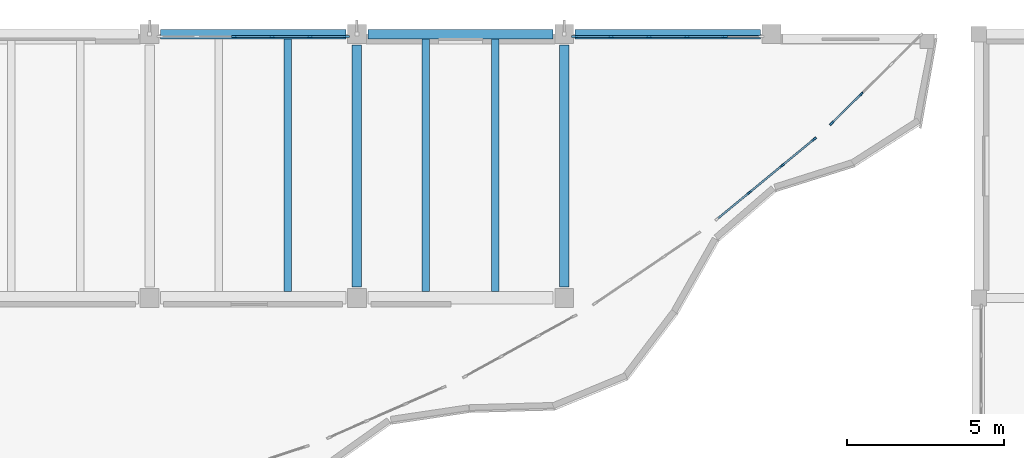
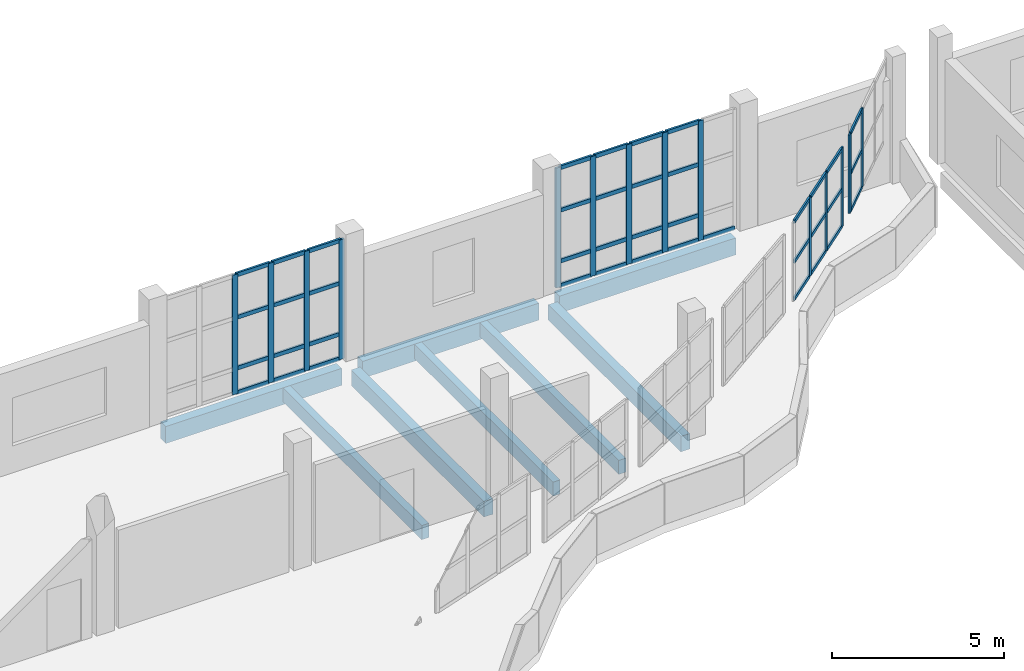
# One storey, part 29 of 76: 55 members, 8 beams, 4 elements without a shape of their own.
"""IFC4 building model written with IfcOpenShell, lengths in metres."""

import ifcopenshell
import ifcopenshell.guid

model = None  # the IFC model being written
_history = None  # IfcOwnerHistory: only IFC2X3 demands one
_inside = {}  # id of a spatial element -> (the spatial element, [elements in it])
_under = {}  # id of a project, library or spatial element -> (it, [spatial elements below it])
_declared = {}  # id of a project -> (the project, [libraries it declares])
_typed = {}  # id of a type object -> (the type object, [elements of that type])
_made_of = {}  # id of a material, layer set ... -> (it, [elements and type objects made of it])


def new_model(schema):
    """Start an empty IFC model of exactly this schema.

    Asked for "IFC4X3", IfcOpenShell would pick the latest addendum, in which some entities
    have other attributes; the version numbers below select the first issue.
    IFC2X3 requires an IfcOwnerHistory on every rooted entity: one is made here for all.
    """
    global model, _history
    if schema == "IFC4X3":
        model = ifcopenshell.file(schema_version=(4, 3, 0, 0))
    else:
        model = ifcopenshell.file(schema=schema)
    _inside.clear()
    _under.clear()
    _declared.clear()
    _typed.clear()
    _made_of.clear()
    _history = None
    if model.schema == "IFC2X3":
        org = make("IfcOrganization", Name="unknown")
        user = make(
            "IfcPersonAndOrganization",
            ThePerson=make("IfcPerson", FamilyName="unknown"),
            TheOrganization=org,
        )
        app = make(
            "IfcApplication",
            ApplicationDeveloper=org,
            Version="unknown",
            ApplicationFullName="unknown",
            ApplicationIdentifier="unknown",
        )
        _history = make(
            "IfcOwnerHistory",
            OwningUser=user,
            OwningApplication=app,
            ChangeAction="ADDED",
            CreationDate=0,
        )
    return model


def make(cls, **values):
    """One entity of the class cls with the attributes given. An attribute that is None is left unset."""
    return model.create_entity(
        cls, **{name: value for name, value in values.items() if value is not None}
    )


def rooted(cls, **values):
    """An entity with a GlobalId (a new one), such as an element, a storey or a relation."""
    return make(cls, GlobalId=ifcopenshell.guid.new(), OwnerHistory=_history, **values)


def si_unit(unit_type, name, prefix=None):
    """IfcSIUnit, for example si_unit("LENGTHUNIT", "METRE", prefix="MILLI")."""
    return make("IfcSIUnit", UnitType=unit_type, Prefix=prefix, Name=name)


def assignment(units):
    """IfcUnitAssignment: the units of a project."""
    return None if units is None else make("IfcUnitAssignment", Units=units)


def point(xyz):
    """IfcCartesianPoint."""
    return None if xyz is None else make("IfcCartesianPoint", Coordinates=xyz)


def direction(xyz):
    """IfcDirection."""
    return None if xyz is None else make("IfcDirection", DirectionRatios=xyz)


def frame(location, z_axis=None, x_axis=None):
    """IfcAxis2Placement3D, a coordinate frame: its origin and axes. An axis left out is left unset."""
    return make(
        "IfcAxis2Placement3D",
        Location=point(location),
        Axis=direction(z_axis),
        RefDirection=direction(x_axis),
    )


def frame_2d(location, x_axis=None):
    """IfcAxis2Placement2D, a coordinate frame in the plane: its origin and x axis."""
    return make(
        "IfcAxis2Placement2D", Location=point(location), RefDirection=direction(x_axis)
    )


def origin():
    """The frame at (0, 0, 0) with its axes left unset."""
    return frame((0.0, 0.0, 0.0))


def origin_2d():
    """The frame at (0, 0) in the plane with its x axis left unset."""
    return frame_2d((0.0, 0.0))


def place(relative_to, where):
    """IfcLocalPlacement: puts the frame where relative to a parent placement (None: the world)."""
    return make(
        "IfcLocalPlacement", PlacementRelTo=relative_to, RelativePlacement=where
    )


def context(
    kind, dimensions, precision=None, world=None, true_north=None, identifier=None
):
    """IfcGeometricRepresentationContext, for example the 3D "Model" context."""
    return make(
        "IfcGeometricRepresentationContext",
        ContextIdentifier=identifier,
        ContextType=kind,
        CoordinateSpaceDimension=dimensions,
        Precision=precision,
        WorldCoordinateSystem=world,
        TrueNorth=true_north,
    )


def subcontext(parent, identifier, kind, view, scale=None):
    """IfcGeometricRepresentationSubContext, for example "Body" below "Model"."""
    return make(
        "IfcGeometricRepresentationSubContext",
        ContextIdentifier=identifier,
        ContextType=kind,
        ParentContext=parent,
        TargetScale=scale,
        TargetView=view,
    )


def project(units=None, contexts=None):
    """IfcProject with its units and contexts."""
    return rooted(
        "IfcProject",
        Name="project",
        RepresentationContexts=contexts,
        UnitsInContext=assignment(units),
    )


def spatial(cls, under=None, at=None, **own):
    """A site, building, storey or space (cls), placed at a placement, below another one or the project."""
    s = rooted(cls, ObjectPlacement=at, **own)
    if under is not None:
        _under.setdefault(under.id(), (under, []))[1].append(s)
    return s


def profile(cls, at=None, kind="AREA", **sizes):
    """A parametric profile (cls). Its sizes go by their IFC names, for example OverallWidth=200.0."""
    return make(cls, ProfileType=kind, Position=at, **sizes)


def rectangle(**sizes):
    """IfcRectangleProfileDef."""
    return profile("IfcRectangleProfileDef", **sizes)


def extrude(swept, where, along, depth):
    """IfcExtrudedAreaSolid: the profile swept, set in the frame where, extruded along a direction by depth."""
    return make(
        "IfcExtrudedAreaSolid",
        SweptArea=swept,
        Position=where,
        ExtrudedDirection=direction(along),
        Depth=depth,
    )


def shape(context_of_items, identifier, shape_type, items):
    """IfcShapeRepresentation: the items that make up one representation, for example the "Body"."""
    return make(
        "IfcShapeRepresentation",
        ContextOfItems=context_of_items,
        RepresentationIdentifier=identifier,
        RepresentationType=shape_type,
        Items=items,
    )


def material(Name=None, Category=None):
    """IfcMaterial."""
    return make("IfcMaterial", Name=Name, Category=Category)


def material_profile(
    of_material, cross_section, Name=None, Category=None, Priority=None
):
    """IfcMaterialProfile: a cross section and its material."""
    return make(
        "IfcMaterialProfile",
        Name=Name,
        Material=of_material,
        Profile=cross_section,
        Priority=Priority,
        Category=Category,
    )


def profile_set(profiles, Name=None, composite=None):
    """IfcMaterialProfileSet."""
    return make(
        "IfcMaterialProfileSet",
        Name=Name,
        MaterialProfiles=profiles,
        CompositeProfile=composite,
    )


def made_of(thing, what):
    """Note that an element or type object is made of a material, layer set ...; save() writes the relation."""
    if what is not None:
        _made_of.setdefault(what.id(), (what, []))[1].append(thing)
    return thing


def type_object(cls, material=None, **own):
    """A type object (cls), such as IfcWallType, which elements share."""
    return made_of(rooted(cls, **own), material)


def element(
    cls,
    number,
    at=None,
    inside=None,
    cuts=None,
    type_object=None,
    material=None,
    context=None,
    identifier="Body",
    shape_type=None,
    held_by="IfcProductDefinitionShape",
    body=None,
    shapes=None,
    **own,
):
    """One element of the class cls, such as IfcWall. Its Tag is "e" and its number.

    at: its placement. inside: the storey or other place that contains it. cuts: it is an
    opening in that element (IfcRelVoidsElement). A single representation is given by context,
    identifier, shape_type and body (its items); several are given by shapes. held_by: the class
    of the entity that holds the representations. save() writes the other relations.
    """
    e = rooted(cls, Tag="e%d" % number, ObjectPlacement=at, **own)
    if body is not None:
        shapes = [shape(context, identifier, shape_type, body)]
    if shapes is not None:
        e.Representation = make(held_by, Representations=shapes)
    if inside is not None:
        _inside.setdefault(inside.id(), (inside, []))[1].append(e)
    if cuts is not None:
        rooted(
            "IfcRelVoidsElement", RelatingBuildingElement=cuts, RelatedOpeningElement=e
        )
    if type_object is not None:
        _typed.setdefault(type_object.id(), (type_object, []))[1].append(e)
    return made_of(e, material)


def aggregate(whole, parts):
    """IfcRelAggregates: a whole, such as a stair, and the parts it consists of."""
    return rooted("IfcRelAggregates", RelatingObject=whole, RelatedObjects=parts)


def save(model, path):
    """Write the relations noted so far, then the file.

    IfcRelAggregates (storeys below a building ...), IfcRelContainedInSpatialStructure (elements
    in a storey), IfcRelDefinesByType, IfcRelAssociatesMaterial and IfcRelDeclares: one each for
    every whole, place, type object, material and project.
    """
    for whole, parts in _under.values():
        aggregate(whole, parts)
    for where, things in _inside.values():
        rooted(
            "IfcRelContainedInSpatialStructure",
            RelatedElements=things,
            RelatingStructure=where,
        )
    for kind, things in _typed.values():
        rooted("IfcRelDefinesByType", RelatedObjects=things, RelatingType=kind)
    for what, things in _made_of.values():
        rooted("IfcRelAssociatesMaterial", RelatedObjects=things, RelatingMaterial=what)
    for by, libraries in _declared.values():
        rooted("IfcRelDeclares", RelatingContext=by, RelatedDefinitions=libraries)
    model.write(path)


model = new_model("IFC4")

# Units and contexts
model_context = context("Model", 3, precision=1e-05, world=origin(), true_north=direction((0.0, 1.0)))
body_context = subcontext(model_context, "Body", "Model", "MODEL_VIEW")
ifc_project = project(units=[si_unit("LENGTHUNIT", "METRE"), si_unit("AREAUNIT", "SQUARE_METRE"), si_unit("VOLUMEUNIT", "CUBIC_METRE"), si_unit("PLANEANGLEUNIT", "RADIAN"), si_unit("MASSUNIT", "GRAM", prefix="KILO")], contexts=[model_context])

# Site, building, storey
site_placement = place(None, origin())
site = spatial("IfcSite", under=ifc_project, at=site_placement, CompositionType="ELEMENT")
building_placement = place(site_placement, origin())
building = spatial("IfcBuilding", under=site, at=building_placement, Name="Qaldarim Faculty of Natural and Applied Sciences", CompositionType="ELEMENT")
storey_placement = place(building_placement, frame((0.0, 0.0, 9.89990234375)))
storey = spatial("IfcBuildingStorey", under=building, at=storey_placement, Name="L02", CompositionType="ELEMENT", Elevation=9.89990234375)

# Beams
ifc_material_1 = material(Name="Concrete C40/50", Category="concrete")
ifc_material_profile_1 = material_profile(ifc_material_1, rectangle(XDim=0.300048828125, YDim=0.550048828125, at=origin_2d()), Name="RC-B300x550")
ifc_profile_set_1 = profile_set([ifc_material_profile_1], Name="Concrete C40/50")
beam_type_1 = type_object("IfcBeamType", Name="FloorBeam-RC300x550", PredefinedType="BEAM", material=ifc_profile_set_1)
for number, where, z_axis, x_axis, name in (
    (1, (132.0, 109.550048828125, -0.574951171875), (0.0, 1.0, 0.0), (-1.0, 0.0, 0.0), "Beam RC-B300x550 L01 X21/Y14-Y15"),
    (2, (138.60009765625, 109.550048828125, -0.574951171875), (0.0, 1.0, 0.0), (-1.0, 0.0, 0.0), "Beam RC-B300x550 L01 X22/Y14-Y15"),
):
    element("IfcBeam", number, at=place(storey_placement, frame(where, z_axis=z_axis, x_axis=x_axis)), inside=storey, type_object=beam_type_1, Name=name, PredefinedType="BEAM", context=body_context, shape_type="SweptSolid", body=[
        extrude(rectangle(XDim=0.300048828125, YDim=0.550048828125, at=origin_2d()), origin(), (0.0, 0.0, 1.0), 7.699951171875),
    ])
ifc_material_profile_2 = material_profile(ifc_material_1, rectangle(XDim=0.239990234375, YDim=0.5, at=origin_2d()), Name="RC-J240x500")
ifc_profile_set_2 = profile_set([ifc_material_profile_2], Name="Concrete C40/50")
beam_type_2 = type_object("IfcBeamType", Name="HeavyJoist-RC240x500", PredefinedType="JOIST", material=ifc_profile_set_2)
for number, where, z_axis, x_axis, name in (
    (3, (129.800048828125, 109.39990234375, -0.5498046875), (0.0, 1.0, 0.0), (-1.0, 0.0, 0.0), "Laboratory joist L01 bay X20Y14-2"),
    (4, (134.199951171875, 109.39990234375, -0.5498046875), (0.0, 1.0, 0.0), (-1.0, 0.0, 0.0), "Laboratory joist L01 bay X21Y14-1"),
    (5, (136.39990234375, 109.39990234375, -0.5498046875), (0.0, 1.0, 0.0), (-1.0, 0.0, 0.0), "Laboratory joist L01 bay X21Y14-2"),
):
    element("IfcBeam", number, at=place(storey_placement, frame(where, z_axis=z_axis, x_axis=x_axis)), inside=storey, type_object=beam_type_2, Name=name, PredefinedType="JOIST", context=body_context, shape_type="SweptSolid", body=[
        extrude(rectangle(XDim=0.239990234375, YDim=0.5, at=origin_2d()), origin(), (0.0, 0.0, 1.0), 8.050048828125),
    ])

# Curtain wall, members
ifc_material_2 = material(Name="Anodised aluminium AW-6063", Category="aluminium")
curtain_wall_type_1 = type_object("IfcCurtainWallType", Name="CurtainWallSystem-M1400", PredefinedType="USERDEFINED", material=ifc_material_2)
curtain_wall_1_placement = place(storey_placement, origin())
curtain_wall_1 = element("IfcCurtainWall", 6, at=curtain_wall_1_placement, inside=storey, type_object=curtain_wall_type_1, Name="Curtain wall CW-V4ARC-L02-14", ObjectType="STICK CURTAIN WALL", PredefinedType="USERDEFINED")
ifc_material_profile_3 = material_profile(ifc_material_2, rectangle(XDim=0.06005859375, YDim=0.14990234375, at=origin_2d()), Name="ALU-M60x150")
ifc_profile_set_3 = profile_set([ifc_material_profile_3], Name="Anodised aluminium AW-6063")
member_type_1 = type_object("IfcMemberType", Name="Mullion-ALU60x150", PredefinedType="MULLION", material=ifc_profile_set_3)
member_1_placement = place(storey_placement, frame((144.49658203125, 112.558349609375, 1.4501953125), z_axis=(0.0, 0.0, 1.0), x_axis=(-0.635930067271, 0.771746687418, 0.0)))
member_1 = element("IfcMember", 7, at=member_1_placement, type_object=member_type_1, Name="Mullion 2 of CW-V4ARC-L02-14", PredefinedType="MULLION", context=body_context, shape_type="SweptSolid", body=[
    extrude(rectangle(XDim=0.06005859375, YDim=0.14990234375, at=origin_2d()), origin(), (0.0, 0.0, 1.0), 2.789794921875),
])
member_2_placement = place(storey_placement, frame((145.538330078125, 113.416748046875, 1.4501953125), z_axis=(0.0, 0.0, 1.0), x_axis=(-0.635930067271, 0.771746687418, 0.0)))
member_2 = element("IfcMember", 8, at=member_2_placement, type_object=member_type_1, Name="Mullion 3 of CW-V4ARC-L02-14", PredefinedType="MULLION", context=body_context, shape_type="SweptSolid", body=[
    extrude(rectangle(XDim=0.06005859375, YDim=0.14990234375, at=origin_2d()), origin(), (0.0, 0.0, 1.0), 2.789794921875),
])
member_3_placement = place(storey_placement, frame((146.556884765625, 114.255859375, 1.4501953125), z_axis=(0.0, 0.0, 1.0), x_axis=(-0.635930067271, 0.771746687418, 0.0)))
member_3 = element("IfcMember", 9, at=member_3_placement, type_object=member_type_1, Name="Mullion 4 of CW-V4ARC-L02-14", PredefinedType="MULLION", context=body_context, shape_type="SweptSolid", body=[
    extrude(rectangle(XDim=0.06005859375, YDim=0.14990234375, at=origin_2d()), origin(), (0.0, 0.0, 1.0), 2.789794921875),
])

curtain_wall_2_placement = place(storey_placement, origin())
curtain_wall_2 = element("IfcCurtainWall", 10, at=curtain_wall_2_placement, inside=storey, type_object=curtain_wall_type_1, Name="Curtain wall CW-V4ARC-L02-16", ObjectType="STICK CURTAIN WALL", PredefinedType="USERDEFINED")
member_4_placement = place(storey_placement, frame((147.1162109375, 114.760986328125, 1.4501953125), z_axis=(0.0, 0.0, 1.0), x_axis=(-0.704014724456, 0.710185375623, 0.0)))
member_4 = element("IfcMember", 11, at=member_4_placement, type_object=member_type_1, Name="Mullion 1 of CW-V4ARC-L02-16", PredefinedType="MULLION", context=body_context, shape_type="SweptSolid", body=[
    extrude(rectangle(XDim=0.06005859375, YDim=0.14990234375, at=origin_2d()), origin(), (0.0, 0.0, 1.0), 2.789794921875),
])
member_5_placement = place(storey_placement, frame((148.05322265625, 115.68994140625, 1.4501953125), z_axis=(0.0, 0.0, 1.0), x_axis=(-0.704014724456, 0.710185375623, 0.0)))
member_5 = element("IfcMember", 12, at=member_5_placement, type_object=member_type_1, Name="Mullion 2 of CW-V4ARC-L02-16", PredefinedType="MULLION", context=body_context, shape_type="SweptSolid", body=[
    extrude(rectangle(XDim=0.06005859375, YDim=0.14990234375, at=origin_2d()), origin(), (0.0, 0.0, 1.0), 2.789794921875),
])

curtain_wall_type_2 = type_object("IfcCurtainWallType", Name="CurtainWallSystem-M1200", PredefinedType="USERDEFINED", material=ifc_material_2)
curtain_wall_3_placement = place(storey_placement, origin())
curtain_wall_3 = element("IfcCurtainWall", 13, at=curtain_wall_3_placement, inside=storey, type_object=curtain_wall_type_2, Name="Curtain wall CW-L02-N-X20Y14", ObjectType="STICK CURTAIN WALL", PredefinedType="USERDEFINED")
ifc_material_profile_4 = material_profile(ifc_material_2, rectangle(XDim=0.070068359375, YDim=0.179931640625, at=origin_2d()), Name="ALU-M70x180")
ifc_profile_set_4 = profile_set([ifc_material_profile_4], Name="Anodised aluminium AW-6063")
member_type_2 = type_object("IfcMemberType", Name="Mullion-ALU70x180", PredefinedType="MULLION", material=ifc_profile_set_4)
member_6_placement = place(storey_placement, frame((131.669921875, 117.52001953125, 0.0), z_axis=(0.0, 0.0, 1.0), x_axis=(0.0, -1.0, 0.0)))
member_6 = element("IfcMember", 14, at=member_6_placement, type_object=member_type_2, Name="Mullion 1 of CW-L02-N-X20Y14", PredefinedType="MULLION", context=body_context, shape_type="SweptSolid", body=[
    extrude(rectangle(XDim=0.070068359375, YDim=0.179931640625, at=origin_2d()), origin(), (0.0, 0.0, 1.0), 4.239990234375),
])
member_7_placement = place(storey_placement, frame((130.5029296875, 117.52001953125, 0.0), z_axis=(0.0, 0.0, 1.0), x_axis=(0.0, -1.0, 0.0)))
member_7 = element("IfcMember", 15, at=member_7_placement, type_object=member_type_2, Name="Mullion 2 of CW-L02-N-X20Y14", PredefinedType="MULLION", context=body_context, shape_type="SweptSolid", body=[
    extrude(rectangle(XDim=0.070068359375, YDim=0.179931640625, at=origin_2d()), origin(), (0.0, 0.0, 1.0), 4.239990234375),
])
member_8_placement = place(storey_placement, frame((129.301025390625, 117.52001953125, 0.0), z_axis=(0.0, 0.0, 1.0), x_axis=(0.0, -1.0, 0.0)))
member_8 = element("IfcMember", 16, at=member_8_placement, type_object=member_type_2, Name="Mullion 3 of CW-L02-N-X20Y14", PredefinedType="MULLION", context=body_context, shape_type="SweptSolid", body=[
    extrude(rectangle(XDim=0.070068359375, YDim=0.179931640625, at=origin_2d()), origin(), (0.0, 0.0, 1.0), 4.239990234375),
])
member_9_placement = place(storey_placement, frame((128.09912109375, 117.52001953125, 0.0), z_axis=(0.0, 0.0, 1.0), x_axis=(0.0, -1.0, 0.0)))
member_9 = element("IfcMember", 17, at=member_9_placement, type_object=member_type_2, Name="Mullion 4 of CW-L02-N-X20Y14", PredefinedType="MULLION", context=body_context, shape_type="SweptSolid", body=[
    extrude(rectangle(XDim=0.070068359375, YDim=0.179931640625, at=origin_2d()), origin(), (0.0, 0.0, 1.0), 4.239990234375),
])

curtain_wall_4_placement = place(storey_placement, origin())
curtain_wall_4 = element("IfcCurtainWall", 18, at=curtain_wall_4_placement, inside=storey, type_object=curtain_wall_type_2, Name="Curtain wall CW-L02-N-X22Y14", ObjectType="STICK CURTAIN WALL", PredefinedType="USERDEFINED")
member_10_placement = place(storey_placement, frame((143.702880859375, 117.52001953125, 0.0), z_axis=(0.0, 0.0, 1.0), x_axis=(0.0, -1.0, 0.0)))
member_10 = element("IfcMember", 19, at=member_10_placement, type_object=member_type_2, Name="Mullion 2 of CW-L02-N-X22Y14", PredefinedType="MULLION", context=body_context, shape_type="SweptSolid", body=[
    extrude(rectangle(XDim=0.070068359375, YDim=0.179931640625, at=origin_2d()), origin(), (0.0, 0.0, 1.0), 4.239990234375),
])
member_11_placement = place(storey_placement, frame((142.5009765625, 117.52001953125, 0.0), z_axis=(0.0, 0.0, 1.0), x_axis=(0.0, -1.0, 0.0)))
member_11 = element("IfcMember", 20, at=member_11_placement, type_object=member_type_2, Name="Mullion 3 of CW-L02-N-X22Y14", PredefinedType="MULLION", context=body_context, shape_type="SweptSolid", body=[
    extrude(rectangle(XDim=0.070068359375, YDim=0.179931640625, at=origin_2d()), origin(), (0.0, 0.0, 1.0), 4.239990234375),
])
member_12_placement = place(storey_placement, frame((141.299072265625, 117.52001953125, 0.0), z_axis=(0.0, 0.0, 1.0), x_axis=(0.0, -1.0, 0.0)))
member_12 = element("IfcMember", 21, at=member_12_placement, type_object=member_type_2, Name="Mullion 4 of CW-L02-N-X22Y14", PredefinedType="MULLION", context=body_context, shape_type="SweptSolid", body=[
    extrude(rectangle(XDim=0.070068359375, YDim=0.179931640625, at=origin_2d()), origin(), (0.0, 0.0, 1.0), 4.239990234375),
])
member_13_placement = place(storey_placement, frame((140.096923828125, 117.52001953125, 0.0), z_axis=(0.0, 0.0, 1.0), x_axis=(0.0, -1.0, 0.0)))
member_13 = element("IfcMember", 22, at=member_13_placement, type_object=member_type_2, Name="Mullion 5 of CW-L02-N-X22Y14", PredefinedType="MULLION", context=body_context, shape_type="SweptSolid", body=[
    extrude(rectangle(XDim=0.070068359375, YDim=0.179931640625, at=origin_2d()), origin(), (0.0, 0.0, 1.0), 4.239990234375),
])
member_14_placement = place(storey_placement, frame((138.929931640625, 117.52001953125, 0.0), z_axis=(0.0, 0.0, 1.0), x_axis=(0.0, -1.0, 0.0)))
member_14 = element("IfcMember", 23, at=member_14_placement, type_object=member_type_2, Name="Mullion 6 of CW-L02-N-X22Y14", PredefinedType="MULLION", context=body_context, shape_type="SweptSolid", body=[
    extrude(rectangle(XDim=0.070068359375, YDim=0.179931640625, at=origin_2d()), origin(), (0.0, 0.0, 1.0), 4.239990234375),
])

# Beams
ifc_material_3 = material(Name="Precast concrete C40/50", Category="concrete")
ifc_material_profile_5 = material_profile(ifc_material_3, rectangle(XDim=0.300048828125, YDim=0.60009765625, at=origin_2d()), Name="RC-SP300x600")
ifc_profile_set_5 = profile_set([ifc_material_profile_5], Name="Precast concrete C40/50")
beam_type_3 = type_object("IfcBeamType", Name="SpandrelBeam-RC300x600", PredefinedType="SPANDREL", material=ifc_profile_set_5)
for number, where, z_axis, x_axis, name in (
    (24, (125.75, 117.60009765625, -0.599853515625), (1.0, 0.0, 0.0), (0.0, 1.0, 0.0), "Beam RC-SP300x600 L01 X20-X21/Y15"),
    (25, (132.35009765625, 117.60009765625, -0.599853515625), (1.0, 0.0, 0.0), (0.0, 1.0, 0.0), "Beam RC-SP300x600 L01 X21-X22/Y15"),
):
    element("IfcBeam", number, at=place(storey_placement, frame(where, z_axis=z_axis, x_axis=x_axis)), inside=storey, type_object=beam_type_3, Name=name, PredefinedType="SPANDREL", context=body_context, shape_type="SweptSolid", body=[
        extrude(rectangle(XDim=0.300048828125, YDim=0.60009765625, at=origin_2d()), origin(), (0.0, 0.0, 1.0), 5.89990234375),
    ])
beam_placement = place(storey_placement, frame((138.949951171875, 117.60009765625, -0.599853515625), z_axis=(1.0, 0.0, 0.0), x_axis=(0.0, 1.0, 0.0)))
element("IfcBeam", 26, at=beam_placement, inside=storey, type_object=beam_type_3, Name="Beam RC-SP300x600 L01 X22-X23/Y15", PredefinedType="SPANDREL", context=body_context, shape_type="SweptSolid", body=[
    extrude(rectangle(XDim=0.300048828125, YDim=0.60009765625, at=origin_2d()), origin(), (0.0, 0.0, 1.0), 5.900146484375),
])

# Member
ifc_material_profile_6 = material_profile(ifc_material_2, rectangle(XDim=0.06005859375, YDim=0.1201171875, at=origin_2d()), Name="ALU-T60x120")
ifc_profile_set_6 = profile_set([ifc_material_profile_6], Name="Anodised aluminium AW-6063")
member_type_3 = type_object("IfcMemberType", Name="Transom-ALU60x120", PredefinedType="USERDEFINED", material=ifc_profile_set_6)
member_15_placement = place(storey_placement, frame((143.501220703125, 111.73828125, 1.47998046875), z_axis=(0.77176796605, 0.635904243247, 0.0), x_axis=(-0.635904243247, 0.77176796605, 0.0)))
member_15 = element("IfcMember", 27, at=member_15_placement, type_object=member_type_3, Name="Transom 1-1 of CW-V4ARC-L02-14", ObjectType="TRANSOM", PredefinedType="USERDEFINED", context=body_context, shape_type="SweptSolid", body=[
    extrude(rectangle(XDim=0.06005859375, YDim=0.1201171875, at=origin_2d()), origin(), (0.0, 0.0, 1.0), 1.259765625),
])

member_16_placement = place(storey_placement, frame((143.501220703125, 111.73828125, 2.800048828125), z_axis=(0.77176796605, 0.635904243247, 0.0), x_axis=(-0.635904243247, 0.77176796605, 0.0)))
member_16 = element("IfcMember", 28, at=member_16_placement, type_object=member_type_3, Name="Transom 1-2 of CW-V4ARC-L02-14", ObjectType="TRANSOM", PredefinedType="USERDEFINED", context=body_context, shape_type="SweptSolid", body=[
    extrude(rectangle(XDim=0.06005859375, YDim=0.1201171875, at=origin_2d()), origin(), (0.0, 0.0, 1.0), 1.259765625),
])

member_17_placement = place(storey_placement, frame((143.501220703125, 111.73828125, 4.210205078125), z_axis=(0.77176796605, 0.635904243247, 0.0), x_axis=(-0.635904243247, 0.77176796605, 0.0)))
member_17 = element("IfcMember", 29, at=member_17_placement, type_object=member_type_3, Name="Transom 1-3 of CW-V4ARC-L02-14", ObjectType="TRANSOM", PredefinedType="USERDEFINED", context=body_context, shape_type="SweptSolid", body=[
    extrude(rectangle(XDim=0.06005859375, YDim=0.1201171875, at=origin_2d()), origin(), (0.0, 0.0, 1.0), 1.259765625),
])

member_18_placement = place(storey_placement, frame((144.519775390625, 112.577392578125, 1.47998046875), z_axis=(0.771700705887, 0.635985865043, 0.0), x_axis=(-0.635985865043, 0.771700705887, 0.0)))
member_18 = element("IfcMember", 30, at=member_18_placement, type_object=member_type_3, Name="Transom 2-1 of CW-V4ARC-L02-14", ObjectType="TRANSOM", PredefinedType="USERDEFINED", context=body_context, shape_type="SweptSolid", body=[
    extrude(rectangle(XDim=0.06005859375, YDim=0.1201171875, at=origin_2d()), origin(), (0.0, 0.0, 1.0), 1.289794921875),
])

member_19_placement = place(storey_placement, frame((144.519775390625, 112.577392578125, 2.800048828125), z_axis=(0.771700705887, 0.635985865043, 0.0), x_axis=(-0.635985865043, 0.771700705887, 0.0)))
member_19 = element("IfcMember", 31, at=member_19_placement, type_object=member_type_3, Name="Transom 2-2 of CW-V4ARC-L02-14", ObjectType="TRANSOM", PredefinedType="USERDEFINED", context=body_context, shape_type="SweptSolid", body=[
    extrude(rectangle(XDim=0.06005859375, YDim=0.1201171875, at=origin_2d()), origin(), (0.0, 0.0, 1.0), 1.289794921875),
])

member_20_placement = place(storey_placement, frame((144.519775390625, 112.577392578125, 4.210205078125), z_axis=(0.771700705887, 0.635985865043, 0.0), x_axis=(-0.635985865043, 0.771700705887, 0.0)))
member_20 = element("IfcMember", 32, at=member_20_placement, type_object=member_type_3, Name="Transom 2-3 of CW-V4ARC-L02-14", ObjectType="TRANSOM", PredefinedType="USERDEFINED", context=body_context, shape_type="SweptSolid", body=[
    extrude(rectangle(XDim=0.06005859375, YDim=0.1201171875, at=origin_2d()), origin(), (0.0, 0.0, 1.0), 1.289794921875),
])

member_21_placement = place(storey_placement, frame((145.5615234375, 113.435791015625, 1.47998046875), z_axis=(0.77176796605, 0.635904243247, 0.0), x_axis=(-0.635904243247, 0.77176796605, 0.0)))
member_21 = element("IfcMember", 33, at=member_21_placement, type_object=member_type_3, Name="Transom 3-1 of CW-V4ARC-L02-14", ObjectType="TRANSOM", PredefinedType="USERDEFINED", context=body_context, shape_type="SweptSolid", body=[
    extrude(rectangle(XDim=0.06005859375, YDim=0.1201171875, at=origin_2d()), origin(), (0.0, 0.0, 1.0), 1.259765625),
])

member_22_placement = place(storey_placement, frame((145.5615234375, 113.435791015625, 2.800048828125), z_axis=(0.77176796605, 0.635904243247, 0.0), x_axis=(-0.635904243247, 0.77176796605, 0.0)))
member_22 = element("IfcMember", 34, at=member_22_placement, type_object=member_type_3, Name="Transom 3-2 of CW-V4ARC-L02-14", ObjectType="TRANSOM", PredefinedType="USERDEFINED", context=body_context, shape_type="SweptSolid", body=[
    extrude(rectangle(XDim=0.06005859375, YDim=0.1201171875, at=origin_2d()), origin(), (0.0, 0.0, 1.0), 1.259765625),
])

member_23_placement = place(storey_placement, frame((145.5615234375, 113.435791015625, 4.210205078125), z_axis=(0.77176796605, 0.635904243247, 0.0), x_axis=(-0.635904243247, 0.77176796605, 0.0)))
member_23 = element("IfcMember", 35, at=member_23_placement, type_object=member_type_3, Name="Transom 3-3 of CW-V4ARC-L02-14", ObjectType="TRANSOM", PredefinedType="USERDEFINED", context=body_context, shape_type="SweptSolid", body=[
    extrude(rectangle(XDim=0.06005859375, YDim=0.1201171875, at=origin_2d()), origin(), (0.0, 0.0, 1.0), 1.259765625),
])

aggregate(curtain_wall_1, [member_1, member_2, member_3, member_15, member_16, member_17, member_18, member_19, member_20, member_21, member_22, member_23])

member_24_placement = place(storey_placement, frame((147.1376953125, 114.7822265625, 1.47998046875), z_axis=(0.71010520996, 0.704095583559, 0.0), x_axis=(-0.704095583559, 0.71010520996, 0.0)))
member_24 = element("IfcMember", 36, at=member_24_placement, type_object=member_type_3, Name="Transom 1-1 of CW-V4ARC-L02-16", ObjectType="TRANSOM", PredefinedType="USERDEFINED", context=body_context, shape_type="SweptSolid", body=[
    extrude(rectangle(XDim=0.06005859375, YDim=0.1201171875, at=origin_2d()), origin(), (0.0, 0.0, 1.0), 1.25927734375),
])

member_25_placement = place(storey_placement, frame((147.1376953125, 114.7822265625, 2.800048828125), z_axis=(0.71010520996, 0.704095583559, 0.0), x_axis=(-0.704095583559, 0.71010520996, 0.0)))
member_25 = element("IfcMember", 37, at=member_25_placement, type_object=member_type_3, Name="Transom 1-2 of CW-V4ARC-L02-16", ObjectType="TRANSOM", PredefinedType="USERDEFINED", context=body_context, shape_type="SweptSolid", body=[
    extrude(rectangle(XDim=0.06005859375, YDim=0.1201171875, at=origin_2d()), origin(), (0.0, 0.0, 1.0), 1.25927734375),
])

member_26_placement = place(storey_placement, frame((147.1376953125, 114.7822265625, 4.210205078125), z_axis=(0.71010520996, 0.704095583559, 0.0), x_axis=(-0.704095583559, 0.71010520996, 0.0)))
member_26 = element("IfcMember", 38, at=member_26_placement, type_object=member_type_3, Name="Transom 1-3 of CW-V4ARC-L02-16", ObjectType="TRANSOM", PredefinedType="USERDEFINED", context=body_context, shape_type="SweptSolid", body=[
    extrude(rectangle(XDim=0.06005859375, YDim=0.1201171875, at=origin_2d()), origin(), (0.0, 0.0, 1.0), 1.25927734375),
])

aggregate(curtain_wall_2, [member_4, member_5, member_24, member_25, member_26])

ifc_material_profile_7 = material_profile(ifc_material_2, rectangle(XDim=0.070068359375, YDim=0.139892578125, at=origin_2d()), Name="ALU-T70x140")
ifc_profile_set_7 = profile_set([ifc_material_profile_7], Name="Anodised aluminium AW-6063")
member_type_4 = type_object("IfcMemberType", Name="Transom-ALU70x140", PredefinedType="USERDEFINED", material=ifc_profile_set_7)
member_27_placement = place(storey_placement, frame((131.635009765625, 117.52001953125, 0.03515625), z_axis=(-1.0, 0.0, 0.0), x_axis=(0.0, -1.0, 0.0)))
member_27 = element("IfcMember", 39, at=member_27_placement, type_object=member_type_4, Name="Transom 1-1 of CW-L02-N-X20Y14", ObjectType="TRANSOM", PredefinedType="USERDEFINED", context=body_context, shape_type="SweptSolid", body=[
    extrude(rectangle(XDim=0.070068359375, YDim=0.139892578125, at=origin_2d()), origin(), (0.0, 0.0, 1.0), 1.096923828125),
])

member_28_placement = place(storey_placement, frame((131.635009765625, 117.52001953125, 0.900146484375), z_axis=(-1.0, 0.0, 0.0), x_axis=(0.0, -1.0, 0.0)))
member_28 = element("IfcMember", 40, at=member_28_placement, type_object=member_type_4, Name="Transom 1-2 of CW-L02-N-X20Y14", ObjectType="TRANSOM", PredefinedType="USERDEFINED", context=body_context, shape_type="SweptSolid", body=[
    extrude(rectangle(XDim=0.070068359375, YDim=0.139892578125, at=origin_2d()), origin(), (0.0, 0.0, 1.0), 1.096923828125),
])

member_29_placement = place(storey_placement, frame((131.635009765625, 117.52001953125, 2.7001953125), z_axis=(-1.0, 0.0, 0.0), x_axis=(0.0, -1.0, 0.0)))
member_29 = element("IfcMember", 41, at=member_29_placement, type_object=member_type_4, Name="Transom 1-3 of CW-L02-N-X20Y14", ObjectType="TRANSOM", PredefinedType="USERDEFINED", context=body_context, shape_type="SweptSolid", body=[
    extrude(rectangle(XDim=0.070068359375, YDim=0.139892578125, at=origin_2d()), origin(), (0.0, 0.0, 1.0), 1.096923828125),
])

member_30_placement = place(storey_placement, frame((131.635009765625, 117.52001953125, 4.205078125), z_axis=(-1.0, 0.0, 0.0), x_axis=(0.0, -1.0, 0.0)))
member_30 = element("IfcMember", 42, at=member_30_placement, type_object=member_type_4, Name="Transom 1-4 of CW-L02-N-X20Y14", ObjectType="TRANSOM", PredefinedType="USERDEFINED", context=body_context, shape_type="SweptSolid", body=[
    extrude(rectangle(XDim=0.070068359375, YDim=0.139892578125, at=origin_2d()), origin(), (0.0, 0.0, 1.0), 1.096923828125),
])

member_31_placement = place(storey_placement, frame((130.468017578125, 117.52001953125, 0.03515625), z_axis=(-1.0, 0.0, 0.0), x_axis=(0.0, -1.0, 0.0)))
member_31 = element("IfcMember", 43, at=member_31_placement, type_object=member_type_4, Name="Transom 2-1 of CW-L02-N-X20Y14", ObjectType="TRANSOM", PredefinedType="USERDEFINED", context=body_context, shape_type="SweptSolid", body=[
    extrude(rectangle(XDim=0.070068359375, YDim=0.139892578125, at=origin_2d()), origin(), (0.0, 0.0, 1.0), 1.132080078125),
])

member_32_placement = place(storey_placement, frame((130.468017578125, 117.52001953125, 0.900146484375), z_axis=(-1.0, 0.0, 0.0), x_axis=(0.0, -1.0, 0.0)))
member_32 = element("IfcMember", 44, at=member_32_placement, type_object=member_type_4, Name="Transom 2-2 of CW-L02-N-X20Y14", ObjectType="TRANSOM", PredefinedType="USERDEFINED", context=body_context, shape_type="SweptSolid", body=[
    extrude(rectangle(XDim=0.070068359375, YDim=0.139892578125, at=origin_2d()), origin(), (0.0, 0.0, 1.0), 1.132080078125),
])

member_33_placement = place(storey_placement, frame((130.468017578125, 117.52001953125, 2.7001953125), z_axis=(-1.0, 0.0, 0.0), x_axis=(0.0, -1.0, 0.0)))
member_33 = element("IfcMember", 45, at=member_33_placement, type_object=member_type_4, Name="Transom 2-3 of CW-L02-N-X20Y14", ObjectType="TRANSOM", PredefinedType="USERDEFINED", context=body_context, shape_type="SweptSolid", body=[
    extrude(rectangle(XDim=0.070068359375, YDim=0.139892578125, at=origin_2d()), origin(), (0.0, 0.0, 1.0), 1.132080078125),
])

member_34_placement = place(storey_placement, frame((130.468017578125, 117.52001953125, 4.205078125), z_axis=(-1.0, 0.0, 0.0), x_axis=(0.0, -1.0, 0.0)))
member_34 = element("IfcMember", 46, at=member_34_placement, type_object=member_type_4, Name="Transom 2-4 of CW-L02-N-X20Y14", ObjectType="TRANSOM", PredefinedType="USERDEFINED", context=body_context, shape_type="SweptSolid", body=[
    extrude(rectangle(XDim=0.070068359375, YDim=0.139892578125, at=origin_2d()), origin(), (0.0, 0.0, 1.0), 1.132080078125),
])

member_35_placement = place(storey_placement, frame((129.26611328125, 117.52001953125, 0.03515625), z_axis=(-1.0, 0.0, 0.0), x_axis=(0.0, -1.0, 0.0)))
member_35 = element("IfcMember", 47, at=member_35_placement, type_object=member_type_4, Name="Transom 3-1 of CW-L02-N-X20Y14", ObjectType="TRANSOM", PredefinedType="USERDEFINED", context=body_context, shape_type="SweptSolid", body=[
    extrude(rectangle(XDim=0.070068359375, YDim=0.139892578125, at=origin_2d()), origin(), (0.0, 0.0, 1.0), 1.132080078125),
])

member_36_placement = place(storey_placement, frame((129.26611328125, 117.52001953125, 0.900146484375), z_axis=(-1.0, 0.0, 0.0), x_axis=(0.0, -1.0, 0.0)))
member_36 = element("IfcMember", 48, at=member_36_placement, type_object=member_type_4, Name="Transom 3-2 of CW-L02-N-X20Y14", ObjectType="TRANSOM", PredefinedType="USERDEFINED", context=body_context, shape_type="SweptSolid", body=[
    extrude(rectangle(XDim=0.070068359375, YDim=0.139892578125, at=origin_2d()), origin(), (0.0, 0.0, 1.0), 1.132080078125),
])

member_37_placement = place(storey_placement, frame((129.26611328125, 117.52001953125, 2.7001953125), z_axis=(-1.0, 0.0, 0.0), x_axis=(0.0, -1.0, 0.0)))
member_37 = element("IfcMember", 49, at=member_37_placement, type_object=member_type_4, Name="Transom 3-3 of CW-L02-N-X20Y14", ObjectType="TRANSOM", PredefinedType="USERDEFINED", context=body_context, shape_type="SweptSolid", body=[
    extrude(rectangle(XDim=0.070068359375, YDim=0.139892578125, at=origin_2d()), origin(), (0.0, 0.0, 1.0), 1.132080078125),
])

member_38_placement = place(storey_placement, frame((129.26611328125, 117.52001953125, 4.205078125), z_axis=(-1.0, 0.0, 0.0), x_axis=(0.0, -1.0, 0.0)))
member_38 = element("IfcMember", 50, at=member_38_placement, type_object=member_type_4, Name="Transom 3-4 of CW-L02-N-X20Y14", ObjectType="TRANSOM", PredefinedType="USERDEFINED", context=body_context, shape_type="SweptSolid", body=[
    extrude(rectangle(XDim=0.070068359375, YDim=0.139892578125, at=origin_2d()), origin(), (0.0, 0.0, 1.0), 1.132080078125),
])

aggregate(curtain_wall_3, [member_6, member_7, member_8, member_9, member_27, member_28, member_29, member_30, member_31, member_32, member_33, member_34, member_35, member_36, member_37, member_38])

member_39_placement = place(storey_placement, frame((144.8349609375, 117.52001953125, 0.03515625), z_axis=(-1.0, 0.0, 0.0), x_axis=(0.0, -1.0, 0.0)))
member_39 = element("IfcMember", 51, at=member_39_placement, type_object=member_type_4, Name="Transom 1-1 of CW-L02-N-X22Y14", ObjectType="TRANSOM", PredefinedType="USERDEFINED", context=body_context, shape_type="SweptSolid", body=[
    extrude(rectangle(XDim=0.070068359375, YDim=0.139892578125, at=origin_2d()), origin(), (0.0, 0.0, 1.0), 1.096923828125),
])

member_40_placement = place(storey_placement, frame((143.66796875, 117.52001953125, 0.03515625), z_axis=(-1.0, 0.0, 0.0), x_axis=(0.0, -1.0, 0.0)))
member_40 = element("IfcMember", 52, at=member_40_placement, type_object=member_type_4, Name="Transom 2-1 of CW-L02-N-X22Y14", ObjectType="TRANSOM", PredefinedType="USERDEFINED", context=body_context, shape_type="SweptSolid", body=[
    extrude(rectangle(XDim=0.070068359375, YDim=0.139892578125, at=origin_2d()), origin(), (0.0, 0.0, 1.0), 1.132080078125),
])

member_41_placement = place(storey_placement, frame((143.66796875, 117.52001953125, 0.900146484375), z_axis=(-1.0, 0.0, 0.0), x_axis=(0.0, -1.0, 0.0)))
member_41 = element("IfcMember", 53, at=member_41_placement, type_object=member_type_4, Name="Transom 2-2 of CW-L02-N-X22Y14", ObjectType="TRANSOM", PredefinedType="USERDEFINED", context=body_context, shape_type="SweptSolid", body=[
    extrude(rectangle(XDim=0.070068359375, YDim=0.139892578125, at=origin_2d()), origin(), (0.0, 0.0, 1.0), 1.132080078125),
])

member_42_placement = place(storey_placement, frame((143.66796875, 117.52001953125, 2.7001953125), z_axis=(-1.0, 0.0, 0.0), x_axis=(0.0, -1.0, 0.0)))
member_42 = element("IfcMember", 54, at=member_42_placement, type_object=member_type_4, Name="Transom 2-3 of CW-L02-N-X22Y14", ObjectType="TRANSOM", PredefinedType="USERDEFINED", context=body_context, shape_type="SweptSolid", body=[
    extrude(rectangle(XDim=0.070068359375, YDim=0.139892578125, at=origin_2d()), origin(), (0.0, 0.0, 1.0), 1.132080078125),
])

member_43_placement = place(storey_placement, frame((143.66796875, 117.52001953125, 4.205078125), z_axis=(-1.0, 0.0, 0.0), x_axis=(0.0, -1.0, 0.0)))
member_43 = element("IfcMember", 55, at=member_43_placement, type_object=member_type_4, Name="Transom 2-4 of CW-L02-N-X22Y14", ObjectType="TRANSOM", PredefinedType="USERDEFINED", context=body_context, shape_type="SweptSolid", body=[
    extrude(rectangle(XDim=0.070068359375, YDim=0.139892578125, at=origin_2d()), origin(), (0.0, 0.0, 1.0), 1.132080078125),
])

member_44_placement = place(storey_placement, frame((142.466064453125, 117.52001953125, 0.03515625), z_axis=(-1.0, 0.0, 0.0), x_axis=(0.0, -1.0, 0.0)))
member_44 = element("IfcMember", 56, at=member_44_placement, type_object=member_type_4, Name="Transom 3-1 of CW-L02-N-X22Y14", ObjectType="TRANSOM", PredefinedType="USERDEFINED", context=body_context, shape_type="SweptSolid", body=[
    extrude(rectangle(XDim=0.070068359375, YDim=0.139892578125, at=origin_2d()), origin(), (0.0, 0.0, 1.0), 1.132080078125),
])

member_45_placement = place(storey_placement, frame((142.466064453125, 117.52001953125, 0.900146484375), z_axis=(-1.0, 0.0, 0.0), x_axis=(0.0, -1.0, 0.0)))
member_45 = element("IfcMember", 57, at=member_45_placement, type_object=member_type_4, Name="Transom 3-2 of CW-L02-N-X22Y14", ObjectType="TRANSOM", PredefinedType="USERDEFINED", context=body_context, shape_type="SweptSolid", body=[
    extrude(rectangle(XDim=0.070068359375, YDim=0.139892578125, at=origin_2d()), origin(), (0.0, 0.0, 1.0), 1.132080078125),
])

member_46_placement = place(storey_placement, frame((142.466064453125, 117.52001953125, 2.7001953125), z_axis=(-1.0, 0.0, 0.0), x_axis=(0.0, -1.0, 0.0)))
member_46 = element("IfcMember", 58, at=member_46_placement, type_object=member_type_4, Name="Transom 3-3 of CW-L02-N-X22Y14", ObjectType="TRANSOM", PredefinedType="USERDEFINED", context=body_context, shape_type="SweptSolid", body=[
    extrude(rectangle(XDim=0.070068359375, YDim=0.139892578125, at=origin_2d()), origin(), (0.0, 0.0, 1.0), 1.132080078125),
])

member_47_placement = place(storey_placement, frame((142.466064453125, 117.52001953125, 4.205078125), z_axis=(-1.0, 0.0, 0.0), x_axis=(0.0, -1.0, 0.0)))
member_47 = element("IfcMember", 59, at=member_47_placement, type_object=member_type_4, Name="Transom 3-4 of CW-L02-N-X22Y14", ObjectType="TRANSOM", PredefinedType="USERDEFINED", context=body_context, shape_type="SweptSolid", body=[
    extrude(rectangle(XDim=0.070068359375, YDim=0.139892578125, at=origin_2d()), origin(), (0.0, 0.0, 1.0), 1.132080078125),
])

member_48_placement = place(storey_placement, frame((141.263916015625, 117.52001953125, 0.03515625), z_axis=(-1.0, 0.0, 0.0), x_axis=(0.0, -1.0, 0.0)))
member_48 = element("IfcMember", 60, at=member_48_placement, type_object=member_type_4, Name="Transom 4-1 of CW-L02-N-X22Y14", ObjectType="TRANSOM", PredefinedType="USERDEFINED", context=body_context, shape_type="SweptSolid", body=[
    extrude(rectangle(XDim=0.070068359375, YDim=0.139892578125, at=origin_2d()), origin(), (0.0, 0.0, 1.0), 1.1318359375),
])

member_49_placement = place(storey_placement, frame((141.263916015625, 117.52001953125, 0.900146484375), z_axis=(-1.0, 0.0, 0.0), x_axis=(0.0, -1.0, 0.0)))
member_49 = element("IfcMember", 61, at=member_49_placement, type_object=member_type_4, Name="Transom 4-2 of CW-L02-N-X22Y14", ObjectType="TRANSOM", PredefinedType="USERDEFINED", context=body_context, shape_type="SweptSolid", body=[
    extrude(rectangle(XDim=0.070068359375, YDim=0.139892578125, at=origin_2d()), origin(), (0.0, 0.0, 1.0), 1.1318359375),
])

member_50_placement = place(storey_placement, frame((141.263916015625, 117.52001953125, 2.7001953125), z_axis=(-1.0, 0.0, 0.0), x_axis=(0.0, -1.0, 0.0)))
member_50 = element("IfcMember", 62, at=member_50_placement, type_object=member_type_4, Name="Transom 4-3 of CW-L02-N-X22Y14", ObjectType="TRANSOM", PredefinedType="USERDEFINED", context=body_context, shape_type="SweptSolid", body=[
    extrude(rectangle(XDim=0.070068359375, YDim=0.139892578125, at=origin_2d()), origin(), (0.0, 0.0, 1.0), 1.1318359375),
])

member_51_placement = place(storey_placement, frame((141.263916015625, 117.52001953125, 4.205078125), z_axis=(-1.0, 0.0, 0.0), x_axis=(0.0, -1.0, 0.0)))
member_51 = element("IfcMember", 63, at=member_51_placement, type_object=member_type_4, Name="Transom 4-4 of CW-L02-N-X22Y14", ObjectType="TRANSOM", PredefinedType="USERDEFINED", context=body_context, shape_type="SweptSolid", body=[
    extrude(rectangle(XDim=0.070068359375, YDim=0.139892578125, at=origin_2d()), origin(), (0.0, 0.0, 1.0), 1.1318359375),
])

member_52_placement = place(storey_placement, frame((140.06201171875, 117.52001953125, 0.03515625), z_axis=(-1.0, 0.0, 0.0), x_axis=(0.0, -1.0, 0.0)))
member_52 = element("IfcMember", 64, at=member_52_placement, type_object=member_type_4, Name="Transom 5-1 of CW-L02-N-X22Y14", ObjectType="TRANSOM", PredefinedType="USERDEFINED", context=body_context, shape_type="SweptSolid", body=[
    extrude(rectangle(XDim=0.070068359375, YDim=0.139892578125, at=origin_2d()), origin(), (0.0, 0.0, 1.0), 1.096923828125),
])

member_53_placement = place(storey_placement, frame((140.06201171875, 117.52001953125, 0.900146484375), z_axis=(-1.0, 0.0, 0.0), x_axis=(0.0, -1.0, 0.0)))
member_53 = element("IfcMember", 65, at=member_53_placement, type_object=member_type_4, Name="Transom 5-2 of CW-L02-N-X22Y14", ObjectType="TRANSOM", PredefinedType="USERDEFINED", context=body_context, shape_type="SweptSolid", body=[
    extrude(rectangle(XDim=0.070068359375, YDim=0.139892578125, at=origin_2d()), origin(), (0.0, 0.0, 1.0), 1.096923828125),
])

member_54_placement = place(storey_placement, frame((140.06201171875, 117.52001953125, 2.7001953125), z_axis=(-1.0, 0.0, 0.0), x_axis=(0.0, -1.0, 0.0)))
member_54 = element("IfcMember", 66, at=member_54_placement, type_object=member_type_4, Name="Transom 5-3 of CW-L02-N-X22Y14", ObjectType="TRANSOM", PredefinedType="USERDEFINED", context=body_context, shape_type="SweptSolid", body=[
    extrude(rectangle(XDim=0.070068359375, YDim=0.139892578125, at=origin_2d()), origin(), (0.0, 0.0, 1.0), 1.096923828125),
])

member_55_placement = place(storey_placement, frame((140.06201171875, 117.52001953125, 4.205078125), z_axis=(-1.0, 0.0, 0.0), x_axis=(0.0, -1.0, 0.0)))
member_55 = element("IfcMember", 67, at=member_55_placement, type_object=member_type_4, Name="Transom 5-4 of CW-L02-N-X22Y14", ObjectType="TRANSOM", PredefinedType="USERDEFINED", context=body_context, shape_type="SweptSolid", body=[
    extrude(rectangle(XDim=0.070068359375, YDim=0.139892578125, at=origin_2d()), origin(), (0.0, 0.0, 1.0), 1.096923828125),
])

aggregate(curtain_wall_4, [member_10, member_11, member_12, member_13, member_14, member_39, member_40, member_41, member_42, member_43, member_44, member_45, member_46, member_47, member_48, member_49, member_50, member_51, member_52, member_53, member_54, member_55])

save(model, "model.ifc")
